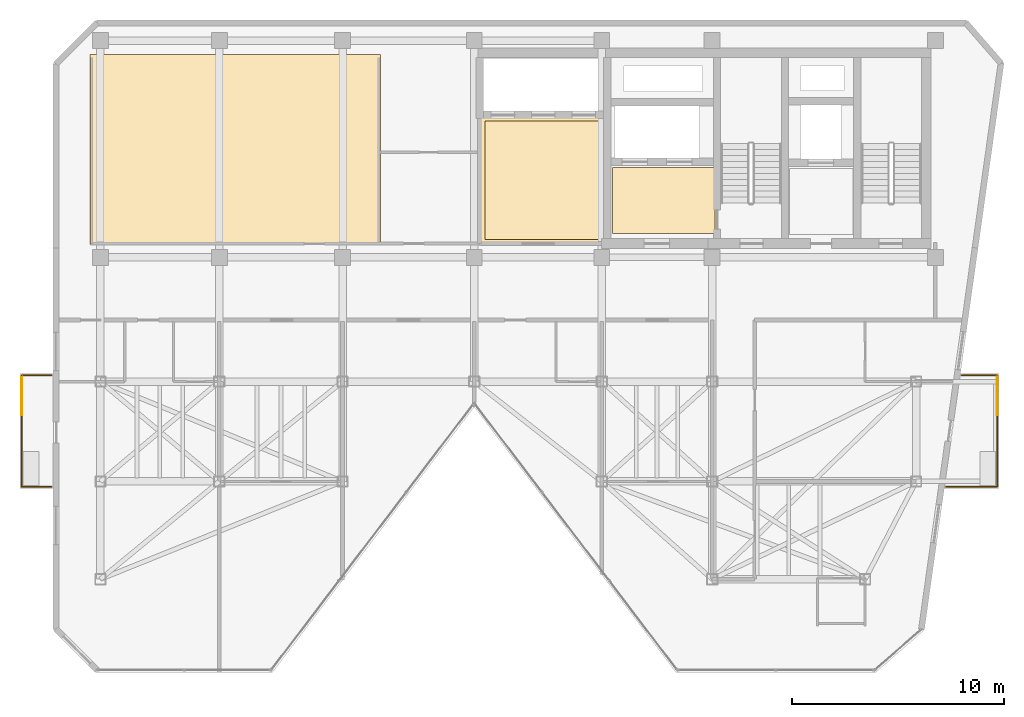
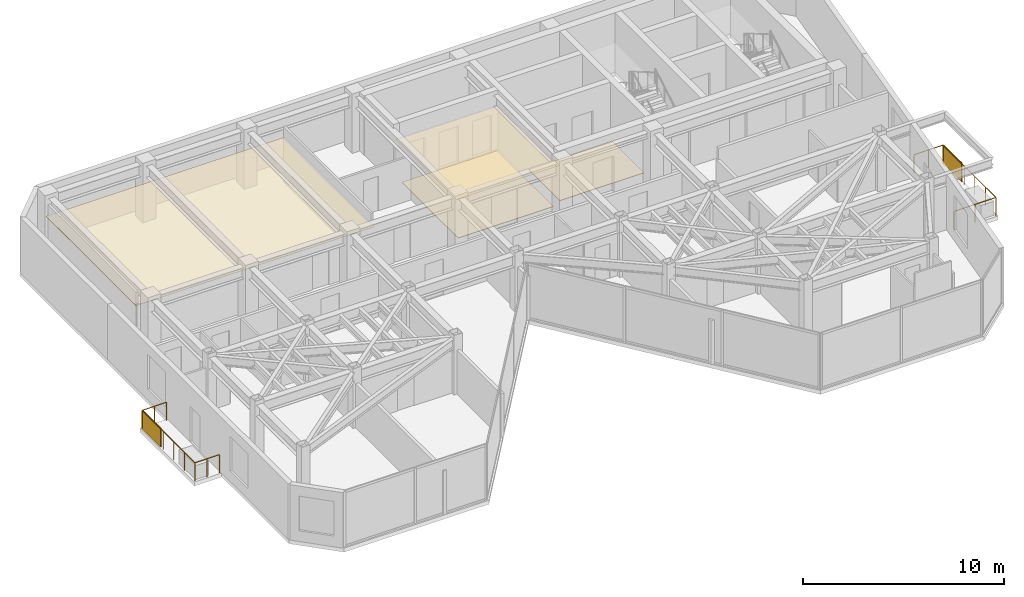
# One storey, part 16 of 17: 6 railings, 4 coverings, 2 shading devices.
"""IFC4 building model written with IfcOpenShell, lengths in metres."""

from ifc_helpers import new_model, si_unit, direction, frame, origin, origin_2d, place, context, subcontext, project, spatial, polyline, rectangle, circle, outline, extrude, material, layer, layer_set, type_object, element, save


model = new_model("IFC4")

# Units and contexts
model_context = context("Model", 3, precision=1e-05, world=origin(), true_north=direction((0.0, 1.0)))
body_context = subcontext(model_context, "Body", "Model", "MODEL_VIEW")
ifc_project = project(units=[si_unit("LENGTHUNIT", "METRE"), si_unit("AREAUNIT", "SQUARE_METRE"), si_unit("VOLUMEUNIT", "CUBIC_METRE"), si_unit("PLANEANGLEUNIT", "RADIAN"), si_unit("MASSUNIT", "GRAM", prefix="KILO")], contexts=[model_context])

# Site, building, storey
site_placement = place(None, origin())
site = spatial("IfcSite", under=ifc_project, at=site_placement, CompositionType="ELEMENT")
building_placement = place(site_placement, origin())
building = spatial("IfcBuilding", under=site, at=building_placement, Name="Kravanh Interchange Tower", CompositionType="ELEMENT")
storey_placement = place(building_placement, frame((0.0, 0.0, 256.199951171875)))
storey = spatial("IfcBuildingStorey", under=building, at=storey_placement, Name="L62", CompositionType="ELEMENT", Elevation=256.199951171875)

# Coverings
ifc_material_1 = material(Name="Cementitious Terrazzo Tile")
ifc_layer_1 = layer(ifc_material_1, 0.030029296875)
ifc_layer_set_1 = layer_set([ifc_layer_1], Name="Honed Terrazzo Lobby Flooring 30mm")
covering_type_1 = type_object("IfcCoveringType", Name="Honed Terrazzo Lobby Flooring 30mm", PredefinedType="FLOORING", material=ifc_layer_set_1)
covering_1_placement = place(storey_placement, origin())
element("IfcCovering", 1, at=covering_1_placement, inside=storey, type_object=covering_type_1, Name="L62 Firefighting Lobby Floor Finish", PredefinedType="FLOORING", context=body_context, shape_type="SweptSolid", body=[
    extrude(outline(polyline([(56.1201171875, 38.4599609375), (51.300048828125, 38.4599609375), (51.300048828125, 41.580078125), (56.1201171875, 41.580078125), (56.1201171875, 38.4599609375)])), origin(), (0.0, 0.0, 1.0), 0.030029296875),
])
covering_2_placement = place(storey_placement, origin())
element("IfcCovering", 2, at=covering_2_placement, inside=storey, type_object=covering_type_1, Name="L62 High-Rise Lift Lobby Floor Finish", PredefinedType="FLOORING", context=body_context, shape_type="SweptSolid", body=[
    extrude(outline(polyline([(45.300048828125, 43.77001953125), (50.77001953125, 43.77001953125), (50.77001953125, 38.179931640625), (45.300048828125, 38.179931640625), (45.300048828125, 43.77001953125)])), origin(), (0.0, 0.0, 1.0), 0.030029296875),
])
ifc_material_2 = material(Name="Anodised Bronze Aluminium Acoustic Baffle", Category="aluminium")
ifc_layer_2 = layer(ifc_material_2, 0.034912109375)
ifc_layer_set_2 = layer_set([ifc_layer_2], Name="Linear Bronze Baffle Feature Ceiling 35mm")
covering_type_2 = type_object("IfcCoveringType", Name="Linear Bronze Baffle Feature Ceiling 35mm", PredefinedType="CEILING", material=ifc_layer_set_2)
covering_3_placement = place(storey_placement, frame((0.0, 0.0, 2.550048828125)))
element("IfcCovering", 3, at=covering_3_placement, inside=storey, type_object=covering_type_2, Name="L62 Spa Relaxation Salon Lounge Suspended Ceiling", PredefinedType="CEILING", context=body_context, shape_type="SweptSolid", body=[
    extrude(outline(polyline([(40.3798828125, 46.889892578125), (40.3798828125, 37.9599609375), (26.7099609375, 37.9599609375), (26.7099609375, 46.889892578125), (40.3798828125, 46.889892578125)])), origin(), (0.0, 0.0, 1.0), 0.034912109375),
])
ifc_material_3 = material(Name="Acoustic Mineral Fibre Tile on Aluminium Grid", Category="aluminium")
ifc_layer_3 = layer(ifc_material_3, 0.02490234375)
ifc_layer_set_3 = layer_set([ifc_layer_3], Name="Perforated Acoustic Mineral Ceiling 25mm")
covering_type_3 = type_object("IfcCoveringType", Name="Perforated Acoustic Mineral Ceiling 25mm", PredefinedType="CEILING", material=ifc_layer_set_3)
covering_4_placement = place(storey_placement, frame((0.0, 0.0, 2.550048828125)))
element("IfcCovering", 4, at=covering_4_placement, inside=storey, type_object=covering_type_3, Name="L62 High-Rise Lift Lobby Suspended Ceiling", PredefinedType="CEILING", context=body_context, shape_type="SweptSolid", body=[
    extrude(outline(polyline([(50.989990234375, 37.9599609375), (45.080078125, 37.9599609375), (45.080078125, 43.989990234375), (50.989990234375, 43.989990234375), (50.989990234375, 37.9599609375)])), origin(), (0.0, 0.0, 1.0), 0.02490234375),
])

# Shading devices
ifc_material_4 = material(Name="Perforated Anodised Bronze Aluminium", Category="aluminium")
ifc_layer_4 = layer(ifc_material_4, 0.0400390625)
ifc_layer_set_4 = layer_set([ifc_layer_4], Name="Perforated Bronze Balcony Privacy Screen 1150mm")
shading_device_type = type_object("IfcShadingDeviceType", Name="Perforated Bronze Balcony Privacy Screen 1150mm", PredefinedType="USERDEFINED", material=ifc_layer_set_4)
for number, where, z_axis, x_axis, name in (
    (5, (69.409912109375, 30.820068359375, 0.0), (0.0, 0.0, 1.0), (1.0, 0.0, 0.0), "L62 E Perforated Bronze BALCONY SCREEN"),
    (6, (23.5, 30.820068359375, 0.0), (0.0, 0.0, 1.0), (1.0, 0.0, 0.0), "L62 W Perforated Bronze BALCONY SCREEN"),
):
    element("IfcShadingDevice", number, at=place(storey_placement, frame(where, z_axis=z_axis, x_axis=x_axis)), inside=storey, type_object=shading_device_type, Name=name, ObjectType="SCREEN", PredefinedType="USERDEFINED", context=body_context, shape_type="SweptSolid", body=[
        extrude(rectangle(XDim=0.0400390625, YDim=1.800048828125, at=origin_2d()), origin(), (0.0, 0.0, 1.0), 1.14990234375),
    ])

# Railings
ifc_material_5 = material(Name="Stainless Steel 316", Category="steel")
ifc_layer_5 = layer(ifc_material_5, 0.06005859375)
ifc_layer_set_5 = layer_set([ifc_layer_5], Name="Perimeter Balcony and Terrace Guardrail Stainless 316 1120mm")
railing_type = type_object("IfcRailingType", Name="Perimeter Balcony and Terrace Guardrail Stainless 316 1120mm", PredefinedType="GUARDRAIL", material=ifc_layer_set_5)
railing_1_placement = place(storey_placement, frame((69.409912109375, 31.7900390625, 0.0)))
element("IfcRailing", 7, at=railing_1_placement, inside=storey, type_object=railing_type, Name="L62 E Balcony Guardrail 1", PredefinedType="GUARDRAIL", context=body_context, shape_type="SweptSolid", body=[
    extrude(circle(Radius=0.02392578125, at=origin_2d()), frame((0.0, 0.0, 1.09619140625), z_axis=(0.0, -1.0, 0.0), x_axis=(1.0, 0.0, 0.0)), (0.0, 0.0, 1.0), 5.239990234375),
    extrude(circle(Radius=0.02099609375, at=origin_2d()), origin(), (0.0, 0.0, 1.0), 1.072021484375),
    extrude(circle(Radius=0.02099609375, at=origin_2d()), frame((0.0, -1.048095703125, 0.0)), (0.0, 0.0, 1.0), 1.072021484375),
    extrude(circle(Radius=0.02099609375, at=origin_2d()), frame((0.0, -2.095947265625, 0.0)), (0.0, 0.0, 1.0), 1.072021484375),
    extrude(circle(Radius=0.02099609375, at=origin_2d()), frame((0.0, -3.14404296875, 0.0)), (0.0, 0.0, 1.0), 1.072021484375),
    extrude(circle(Radius=0.02099609375, at=origin_2d()), frame((0.0, -4.19189453125, 0.0)), (0.0, 0.0, 1.0), 1.072021484375),
    extrude(circle(Radius=0.02099609375, at=origin_2d()), frame((0.0, -5.239990234375, 0.0)), (0.0, 0.0, 1.0), 1.072021484375),
])
railing_2_placement = place(storey_placement, frame((69.409912109375, 26.550048828125, 0.0)))
element("IfcRailing", 8, at=railing_2_placement, inside=storey, type_object=railing_type, Name="L62 E Balcony Guardrail 2", PredefinedType="GUARDRAIL", context=body_context, shape_type="SweptSolid", body=[
    extrude(circle(Radius=0.02392578125, at=origin_2d()), frame((0.0, 0.0, 1.09619140625), z_axis=(-1.0, 0.0, 0.0), x_axis=(0.0, -1.0, 0.0)), (0.0, 0.0, 1.0), 2.39892578125),
    extrude(circle(Radius=0.02099609375, at=origin_2d()), origin(), (0.0, 0.0, 1.0), 1.072021484375),
    extrude(circle(Radius=0.02099609375, at=origin_2d()), frame((-1.199462890625, 0.0, 0.0)), (0.0, 0.0, 1.0), 1.072021484375),
    extrude(circle(Radius=0.02099609375, at=origin_2d()), frame((-2.39892578125, 0.0, 0.0)), (0.0, 0.0, 1.0), 1.072021484375),
])
railing_3_placement = place(storey_placement, frame((67.74755859375, 31.7900390625, 0.0)))
element("IfcRailing", 9, at=railing_3_placement, inside=storey, type_object=railing_type, Name="L62 E Balcony Guardrail 3", PredefinedType="GUARDRAIL", context=body_context, shape_type="SweptSolid", body=[
    extrude(circle(Radius=0.02392578125, at=origin_2d()), frame((0.0, 0.0, 1.09619140625), z_axis=(1.0, 0.0, 0.0), x_axis=(0.0, 1.0, 0.0)), (0.0, 0.0, 1.0), 1.662353515625),
    extrude(circle(Radius=0.02099609375, at=origin_2d()), origin(), (0.0, 0.0, 1.0), 1.072021484375),
    extrude(circle(Radius=0.02099609375, at=origin_2d()), frame((0.8310546875, 0.0, 0.0)), (0.0, 0.0, 1.0), 1.072021484375),
    extrude(circle(Radius=0.02099609375, at=origin_2d()), frame((1.662353515625, 0.0, 0.0)), (0.0, 0.0, 1.0), 1.072021484375),
])
railing_4_placement = place(storey_placement, frame((23.5, 26.550048828125, 0.0)))
element("IfcRailing", 10, at=railing_4_placement, inside=storey, type_object=railing_type, Name="L62 W Balcony Guardrail 1", PredefinedType="GUARDRAIL", context=body_context, shape_type="SweptSolid", body=[
    extrude(circle(Radius=0.02392578125, at=origin_2d()), frame((0.0, 0.0, 1.09619140625), z_axis=(0.0, 1.0, 0.0), x_axis=(-1.0, 0.0, 0.0)), (0.0, 0.0, 1.0), 5.239990234375),
    extrude(circle(Radius=0.02099609375, at=origin_2d()), origin(), (0.0, 0.0, 1.0), 1.072021484375),
    extrude(circle(Radius=0.02099609375, at=origin_2d()), frame((0.0, 1.048095703125, 0.0)), (0.0, 0.0, 1.0), 1.072021484375),
    extrude(circle(Radius=0.02099609375, at=origin_2d()), frame((0.0, 2.095947265625, 0.0)), (0.0, 0.0, 1.0), 1.072021484375),
    extrude(circle(Radius=0.02099609375, at=origin_2d()), frame((0.0, 3.14404296875, 0.0)), (0.0, 0.0, 1.0), 1.072021484375),
    extrude(circle(Radius=0.02099609375, at=origin_2d()), frame((0.0, 4.19189453125, 0.0)), (0.0, 0.0, 1.0), 1.072021484375),
    extrude(circle(Radius=0.02099609375, at=origin_2d()), frame((0.0, 5.239990234375, 0.0)), (0.0, 0.0, 1.0), 1.072021484375),
])
railing_5_placement = place(storey_placement, frame((23.5, 31.7900390625, 0.0)))
element("IfcRailing", 11, at=railing_5_placement, inside=storey, type_object=railing_type, Name="L62 W Balcony Guardrail 2", PredefinedType="GUARDRAIL", context=body_context, shape_type="SweptSolid", body=[
    extrude(circle(Radius=0.02392578125, at=origin_2d()), frame((0.0, 0.0, 1.09619140625), z_axis=(1.0, 0.0, 0.0), x_axis=(0.0, 1.0, 0.0)), (0.0, 0.0, 1.0), 1.405029296875),
    extrude(circle(Radius=0.02099609375, at=origin_2d()), origin(), (0.0, 0.0, 1.0), 1.072021484375),
    extrude(circle(Radius=0.02099609375, at=origin_2d()), frame((0.70263671875, 0.0, 0.0)), (0.0, 0.0, 1.0), 1.072021484375),
    extrude(circle(Radius=0.02099609375, at=origin_2d()), frame((1.405029296875, 0.0, 0.0)), (0.0, 0.0, 1.0), 1.072021484375),
])
railing_6_placement = place(storey_placement, frame((24.905029296875, 26.550048828125, 0.0)))
element("IfcRailing", 12, at=railing_6_placement, inside=storey, type_object=railing_type, Name="L62 W Balcony Guardrail 3", PredefinedType="GUARDRAIL", context=body_context, shape_type="SweptSolid", body=[
    extrude(circle(Radius=0.02392578125, at=origin_2d()), frame((0.0, 0.0, 1.09619140625), z_axis=(-1.0, 0.0, 0.0), x_axis=(0.0, -1.0, 0.0)), (0.0, 0.0, 1.0), 1.405029296875),
    extrude(circle(Radius=0.02099609375, at=origin_2d()), origin(), (0.0, 0.0, 1.0), 1.072021484375),
    extrude(circle(Radius=0.02099609375, at=origin_2d()), frame((-0.70263671875, 0.0, 0.0)), (0.0, 0.0, 1.0), 1.072021484375),
    extrude(circle(Radius=0.02099609375, at=origin_2d()), frame((-1.405029296875, 0.0, 0.0)), (0.0, 0.0, 1.0), 1.072021484375),
])

save(model, "model.ifc")
